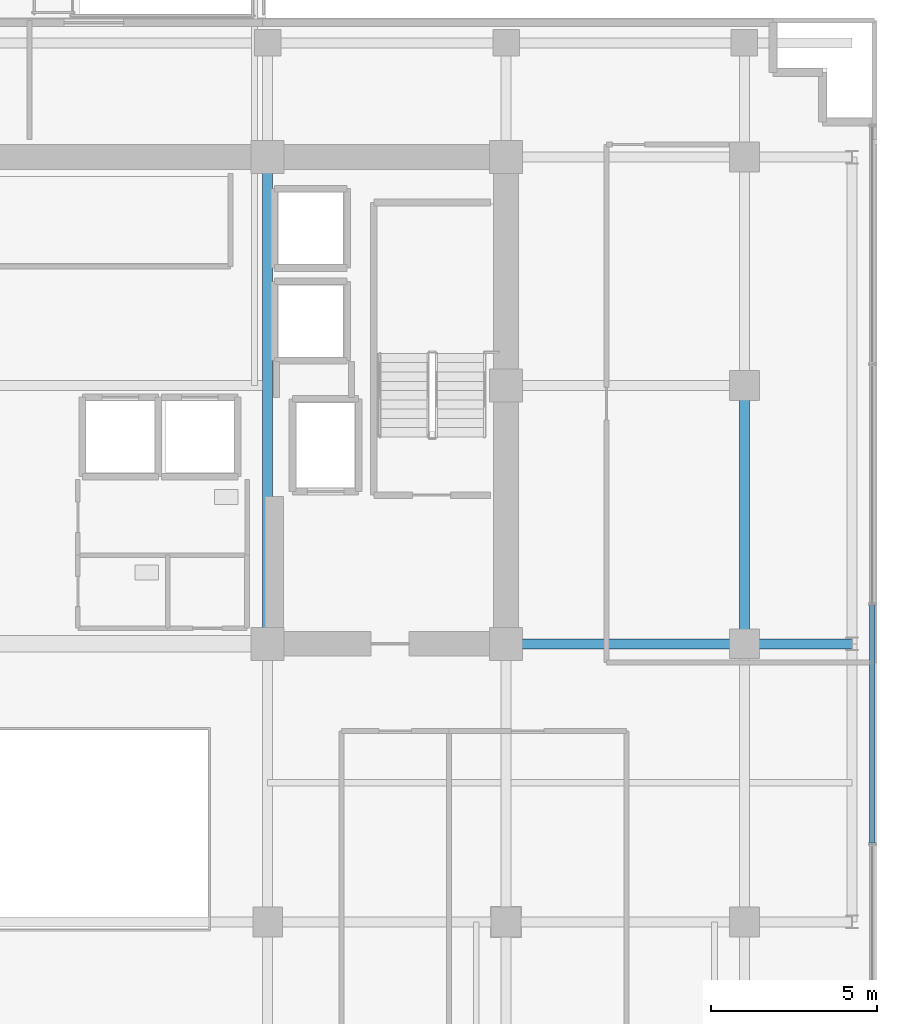
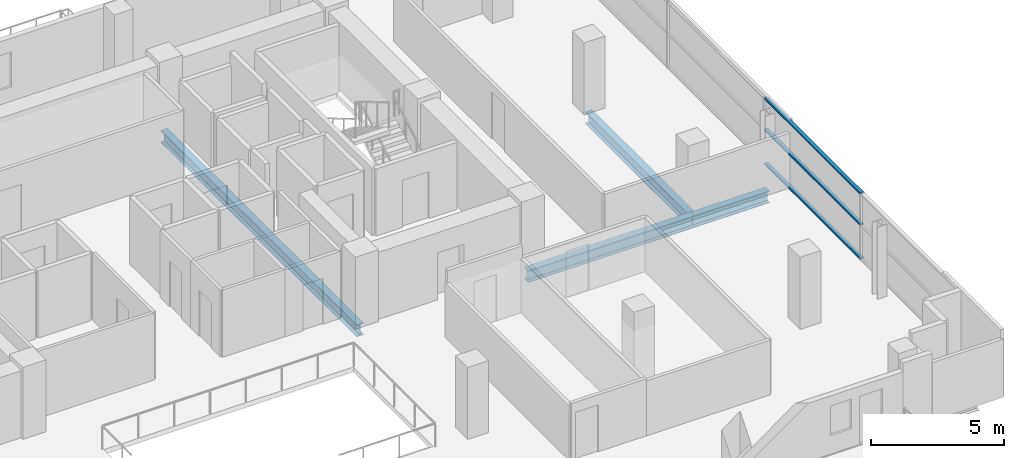
# One storey, part 13 of 28: 4 beams, 3 members, 1 element without a shape of its own.
"""IFC4 building model written with IfcOpenShell, lengths in metres."""

from ifc_helpers import new_model, si_unit, direction, frame, origin, origin_2d, place, context, subcontext, project, spatial, hollow_rectangle, i_section, extrude, source, transform, mapped, material, layer, layer_set, material_profile, profile_set, type_object, element, aggregate, save


model = new_model("IFC4")

# Units and contexts
model_context = context("Model", 3, precision=1e-05, world=origin(), true_north=direction((0.0, 1.0)))
body_context = subcontext(model_context, "Body", "Model", "MODEL_VIEW")
ifc_project = project(units=[si_unit("LENGTHUNIT", "METRE"), si_unit("AREAUNIT", "SQUARE_METRE"), si_unit("VOLUMEUNIT", "CUBIC_METRE"), si_unit("PLANEANGLEUNIT", "RADIAN"), si_unit("MASSUNIT", "GRAM", prefix="KILO")], contexts=[model_context])

# Site, building, storey
site_placement = place(None, origin())
site = spatial("IfcSite", under=ifc_project, at=site_placement, CompositionType="ELEMENT")
building_placement = place(site_placement, origin())
building = spatial("IfcBuilding", under=site, at=building_placement, Name="Zarnakvel Exchange Tower", CompositionType="ELEMENT")
storey_placement = place(building_placement, frame((0.0, 0.0, 90.10009765625)))
storey = spatial("IfcBuildingStorey", under=building, at=storey_placement, Name="L24", CompositionType="ELEMENT", Elevation=90.10009765625)

# Beams
ifc_material_1 = material(Name="Steel S355", Category="steel")
ifc_material_profile_1 = material_profile(ifc_material_1, i_section(OverallWidth=0.300048828125, OverallDepth=0.550048828125, WebThickness=0.014892578125, FlangeThickness=0.029052734375, FilletRadius=0.027099609375, at=origin_2d()))
ifc_profile_set_1 = profile_set([ifc_material_profile_1], Name="Steel S355")
beam_type = type_object("IfcBeamType", Name="G-05", PredefinedType="BEAM", material=ifc_profile_set_1)
beam_1_placement = place(storey_placement, frame((14.39990234375, -1.199951171875, -0.5), z_axis=(1.0, 0.0, 0.0), x_axis=(0.0, 1.0, 0.0)))
element("IfcBeam", 1, at=beam_1_placement, inside=storey, type_object=beam_type, Name="L24 Tower E-W Frame Beam", PredefinedType="BEAM", context=body_context, shape_type="SweptSolid", body=[
    extrude(i_section(OverallWidth=0.300048828125, OverallDepth=0.550048828125, WebThickness=0.014892578125, FlangeThickness=0.029052734375, FilletRadius=0.027099609375, at=origin_2d()), origin(), (0.0, 0.0, 1.0), 7.2001953125),
])
beam_2_placement = place(storey_placement, frame((21.60009765625, -1.199951171875, -0.5), z_axis=(1.0, 0.0, 0.0), x_axis=(0.0, 1.0, 0.0)))
element("IfcBeam", 2, at=beam_2_placement, inside=storey, type_object=beam_type, Name="L24 Tower E-W Frame Beam", PredefinedType="BEAM", context=body_context, shape_type="SweptSolid", body=[
    extrude(i_section(OverallWidth=0.300048828125, OverallDepth=0.550048828125, WebThickness=0.014892578125, FlangeThickness=0.029052734375, FilletRadius=0.027099609375, at=origin_2d()), origin(), (0.0, 0.0, 1.0), 3.25),
])
beam_3_placement = place(storey_placement, frame((7.199951171875, -1.199951171875, -0.5), z_axis=(0.0, 1.0, 0.0), x_axis=(-1.0, 0.0, 0.0)))
element("IfcBeam", 3, at=beam_3_placement, inside=storey, type_object=beam_type, Name="L24 Tower N-S Frame Beam", PredefinedType="BEAM", context=body_context, shape_type="SweptSolid", body=[
    extrude(i_section(OverallWidth=0.300048828125, OverallDepth=0.550048828125, WebThickness=0.014892578125, FlangeThickness=0.029052734375, FilletRadius=0.027099609375, at=origin_2d()), origin(), (0.0, 0.0, 1.0), 14.699951171875),
])
beam_4_placement = place(storey_placement, frame((21.60009765625, -1.199951171875, -0.5), z_axis=(0.0, 1.0, 0.0), x_axis=(-1.0, 0.0, 0.0)))
element("IfcBeam", 4, at=beam_4_placement, inside=storey, type_object=beam_type, Name="L24 Tower N-S Frame Beam", PredefinedType="BEAM", context=body_context, shape_type="SweptSolid", body=[
    extrude(i_section(OverallWidth=0.300048828125, OverallDepth=0.550048828125, WebThickness=0.014892578125, FlangeThickness=0.029052734375, FilletRadius=0.027099609375, at=origin_2d()), origin(), (0.0, 0.0, 1.0), 7.800048828125),
])

# Curtain wall, members
ifc_material_2 = material(Name="Architectural Bronze Anodised Aluminium", Category="aluminium")
ifc_layer = layer(ifc_material_2, 0.199951171875)
ifc_layer_set = layer_set([ifc_layer], Name="Architectural Bronze Anodised Aluminium")
curtain_wall_type = type_object("IfcCurtainWallType", Name="CW-04", PredefinedType="NOTDEFINED", material=ifc_layer_set)
curtain_wall_placement = place(storey_placement, origin())
curtain_wall = element("IfcCurtainWall", 5, at=curtain_wall_placement, inside=storey, type_object=curtain_wall_type, Name="L24 Curtain Wall CW-L24-E1 (CW-04)", PredefinedType="NOTDEFINED")
ifc_material_profile_2 = material_profile(ifc_material_2, hollow_rectangle(XDim=0.159912109375, YDim=0.074951171875, WallThickness=0.00390625, at=origin_2d()))
ifc_profile_set_2 = profile_set([ifc_material_profile_2], Name="Architectural Bronze Anodised Aluminium")
member_type = type_object("IfcMemberType", Name="CWT-04", PredefinedType="USERDEFINED", material=ifc_profile_set_2)
shared_shape = source(origin(), body_context, "Body", "SweptSolid", [
    extrude(hollow_rectangle(XDim=0.159912109375, YDim=0.074951171875, WallThickness=0.00390625, at=origin_2d()), origin(), (0.0, 0.0, 1.0), 7.1748046875),
])
member_1_placement = place(storey_placement, frame((25.4599609375, -7.21240234375, 0.037353515625), z_axis=(0.0, 1.0, 0.0), x_axis=(-1.0, 0.0, 0.0)))
member_1 = element("IfcMember", 6, at=member_1_placement, type_object=member_type, Name="CW-04 transom 2.1", ObjectType="TRANSOM", PredefinedType="USERDEFINED", context=body_context, shape_type="MappedRepresentation", body=[
    mapped(shared_shape, transform((0.0, 0.0, 0.0), x_axis=(1.0, 0.0, 0.0), y_axis=(0.0, 1.0, 0.0), z_axis=(0.0, 0.0, 1.0), scale=1.0)),
])
member_2_placement = place(storey_placement, frame((25.4599609375, -7.21240234375, 1.588623046875), z_axis=(0.0, 1.0, 0.0), x_axis=(-1.0, 0.0, 0.0)))
member_2 = element("IfcMember", 7, at=member_2_placement, type_object=member_type, Name="CW-04 transom 2.2", ObjectType="TRANSOM", PredefinedType="USERDEFINED", context=body_context, shape_type="MappedRepresentation", body=[
    mapped(shared_shape, transform((0.0, 0.0, 0.0), x_axis=(1.0, 0.0, 0.0), y_axis=(0.0, 1.0, 0.0), z_axis=(0.0, 0.0, 1.0), scale=1.0)),
])
member_3_placement = place(storey_placement, frame((25.4599609375, -7.21240234375, 3.017333984375), z_axis=(0.0, 1.0, 0.0), x_axis=(-1.0, 0.0, 0.0)))
member_3 = element("IfcMember", 8, at=member_3_placement, type_object=member_type, Name="CW-04 transom 2.3", ObjectType="TRANSOM", PredefinedType="USERDEFINED", context=body_context, shape_type="MappedRepresentation", body=[
    mapped(shared_shape, transform((0.0, 0.0, 0.0), x_axis=(1.0, 0.0, 0.0), y_axis=(0.0, 1.0, 0.0), z_axis=(0.0, 0.0, 1.0), scale=1.0)),
])
aggregate(curtain_wall, [member_1, member_2, member_3])

save(model, "model.ifc")
